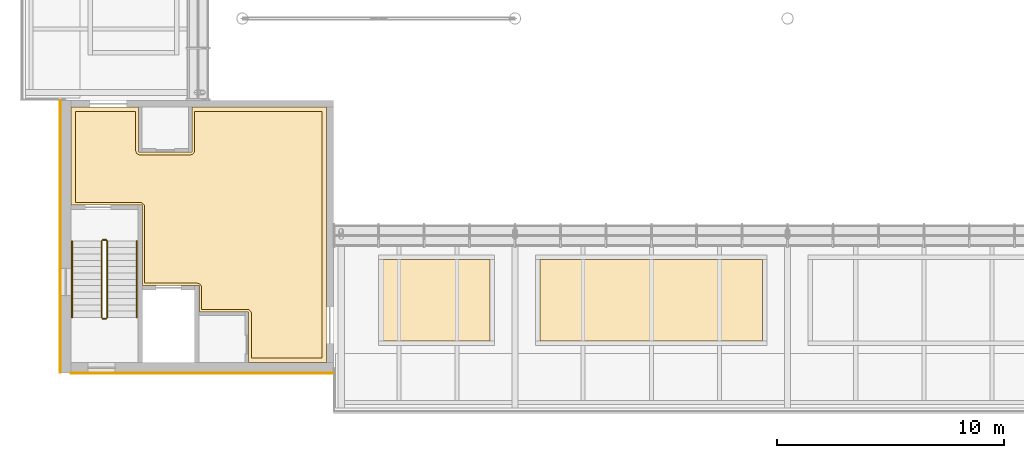
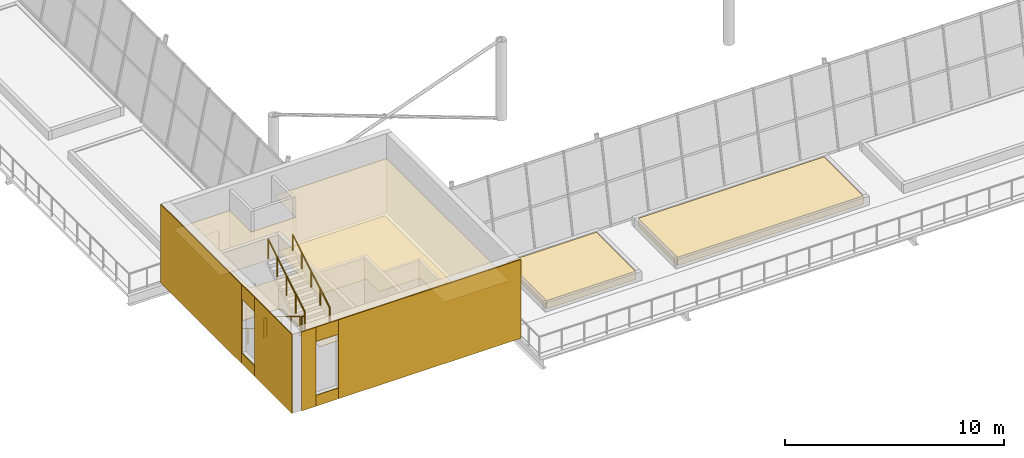
# One storey, part 48 of 58: 12 coverings, 6 railings.
"""IFC4 building model written with IfcOpenShell, lengths in metres."""

from ifc_helpers import new_model, si_unit, direction, frame, origin, origin_2d, place, context, subcontext, project, spatial, polyline, circle, outline, extrude, material, layer, layer_set, type_object, element, save


model = new_model("IFC4")

# Units and contexts
model_context = context("Model", 3, precision=1e-05, world=origin(), true_north=direction((0.0, 1.0)))
body_context = subcontext(model_context, "Body", "Model", "MODEL_VIEW")
ifc_project = project(units=[si_unit("LENGTHUNIT", "METRE"), si_unit("AREAUNIT", "SQUARE_METRE"), si_unit("VOLUMEUNIT", "CUBIC_METRE"), si_unit("PLANEANGLEUNIT", "RADIAN"), si_unit("MASSUNIT", "GRAM", prefix="KILO")], contexts=[model_context])

# Site, building, storey
site_placement = place(None, origin())
site = spatial("IfcSite", under=ifc_project, at=site_placement, CompositionType="ELEMENT")
building_placement = place(site_placement, origin())
building = spatial("IfcBuilding", under=site, at=building_placement, Name="Windward Yard Aquatics Centre", CompositionType="ELEMENT")
storey_placement = place(building_placement, frame((0.0, 0.0, 13.800048828125)))
storey = spatial("IfcBuildingStorey", under=building, at=storey_placement, Name="L03", CompositionType="ELEMENT", Elevation=13.800048828125)

# Covering
ifc_material_1 = material(Name="Polished screed")
ifc_layer_1 = layer(ifc_material_1, 0.0400390625)
ifc_layer_set_1 = layer_set([ifc_layer_1], Name="H Floor Finish Screed 40")
covering_type_1 = type_object("IfcCoveringType", Name="H Floor Finish Screed 40", PredefinedType="FLOORING", material=ifc_layer_set_1)
covering_1_placement = place(storey_placement, origin())
element("IfcCovering", 1, at=covering_1_placement, inside=storey, type_object=covering_type_1, Name="Core Lobby SW floor finish", PredefinedType="FLOORING", context=body_context, shape_type="SweptSolid", body=[
    extrude(outline(polyline([(52.64990234375, 33.5), (52.64990234375, 37.5), (55.300048828125, 37.5), (55.301025390625, 35.780517578125), (55.30859375, 35.741943359375), (55.323486328125, 35.705810546875), (55.345458984375, 35.673095703125), (55.373046875, 35.6455078125), (55.388916015625, 35.6337890625), (55.423583984375, 35.615234375), (55.4609375, 35.603759765625), (55.5, 35.60009765625), (57.699951171875, 35.60009765625), (57.739013671875, 35.603759765625), (57.776611328125, 35.615234375), (57.81103515625, 35.6337890625), (57.826904296875, 35.6455078125), (57.8544921875, 35.673095703125), (57.87646484375, 35.705810546875), (57.891357421875, 35.741943359375), (57.89892578125, 35.780517578125), (57.89990234375, 35.800048828125), (57.89990234375, 37.5), (63.5, 37.5), (63.5, 26.64990234375), (60.39990234375, 26.64990234375), (60.39990234375, 28.60009765625), (60.39892578125, 28.61962890625), (60.391357421875, 28.658203125), (60.37646484375, 28.6943359375), (60.3544921875, 28.726806640625), (60.326904296875, 28.754638671875), (60.31103515625, 28.766357421875), (60.294189453125, 28.7763671875), (60.258056640625, 28.79150390625), (60.239013671875, 28.796142578125), (60.199951171875, 28.800048828125), (58.199951171875, 28.800048828125), (58.198974609375, 29.76953125), (58.19140625, 29.80810546875), (58.184814453125, 29.826416015625), (58.166259765625, 29.861083984375), (58.154541015625, 29.876953125), (58.126953125, 29.904541015625), (58.111083984375, 29.916259765625), (58.09423828125, 29.926513671875), (58.05810546875, 29.94140625), (58.0390625, 29.9462890625), (58.0, 29.949951171875), (55.699951171875, 29.949951171875), (55.699951171875, 33.300048828125), (55.698974609375, 33.319580078125), (55.69140625, 33.358154296875), (55.676513671875, 33.394287109375), (55.654541015625, 33.427001953125), (55.626953125, 33.45458984375), (55.611083984375, 33.46630859375), (55.576416015625, 33.48486328125), (55.5390625, 33.49609375), (55.5, 33.5), (52.64990234375, 33.5)])), origin(), (0.0, 0.0, 1.0), 0.02001953125),
])

# Railings
ifc_material_2 = material(Name="Stainless steel 1.4529", Category="steel")
railing_type_1 = type_object("IfcRailingType", Name="H Guard Steel 1100", PredefinedType="GUARDRAIL", material=ifc_material_2)
railing_1_placement = place(storey_placement, frame((53.800048828125, 31.800048828125, 0.169189453125)))
element("IfcRailing", 2, at=railing_1_placement, inside=storey, type_object=railing_type_1, Name="L03 ST1 stair guard 1", PredefinedType="GUARDRAIL", context=body_context, shape_type="SweptSolid", body=[
    extrude(circle(Radius=0.02392578125, at=origin_2d()), frame((0.0, 0.0, 1.076171875), z_axis=(0.0, -0.855836976705, 0.517245656632), x_axis=(1.0, 0.0, 0.0)), (0.0, 0.0, 1.0), 3.926025390625),
    extrude(circle(Radius=0.02099609375, at=origin_2d()), origin(), (0.0, 0.0, 1.0), 1.052001953125),
    extrude(circle(Radius=0.02099609375, at=origin_2d()), frame((0.0, -0.840087890625, 0.5078125)), (0.0, 0.0, 1.0), 1.052001953125),
    extrude(circle(Radius=0.02099609375, at=origin_2d()), frame((0.0, -1.68017578125, 1.015380859375)), (0.0, 0.0, 1.0), 1.052001953125),
    extrude(circle(Radius=0.02099609375, at=origin_2d()), frame((0.0, -2.52001953125, 1.52294921875)), (0.0, 0.0, 1.0), 1.052001953125),
    extrude(circle(Radius=0.02099609375, at=origin_2d()), frame((0.0, -3.360107421875, 2.03076171875)), (0.0, 0.0, 1.0), 1.052001953125),
])
railing_2_placement = place(storey_placement, frame((53.85009765625, 28.389892578125, 2.199951171875)))
element("IfcRailing", 3, at=railing_2_placement, inside=storey, type_object=railing_type_1, Name="L03 ST1 stair guard 2", PredefinedType="GUARDRAIL", context=body_context, shape_type="SweptSolid", body=[
    extrude(circle(Radius=0.02392578125, at=origin_2d()), frame((0.0, 0.0, 1.076171875), z_axis=(1.0, 0.0, 0.0), x_axis=(0.0, 1.0, 0.0)), (0.0, 0.0, 1.0), 0.14990234375),
    extrude(circle(Radius=0.02099609375, at=origin_2d()), origin(), (0.0, 0.0, 1.0), 1.052001953125),
    extrude(circle(Radius=0.02099609375, at=origin_2d()), frame((0.14990234375, 0.0, 0.0)), (0.0, 0.0, 1.0), 1.052001953125),
])
railing_3_placement = place(storey_placement, frame((54.050048828125, 28.43994140625, 2.369140625)))
element("IfcRailing", 4, at=railing_3_placement, inside=storey, type_object=railing_type_1, Name="L03 ST1 stair guard 3", PredefinedType="GUARDRAIL", context=body_context, shape_type="SweptSolid", body=[
    extrude(circle(Radius=0.02392578125, at=origin_2d()), frame((0.0, 0.0, 1.076171875), z_axis=(0.0, 0.855836976705, 0.517245656632), x_axis=(-1.0, 0.0, 0.0)), (0.0, 0.0, 1.0), 3.926025390625),
    extrude(circle(Radius=0.02099609375, at=origin_2d()), origin(), (0.0, 0.0, 1.0), 1.052001953125),
    extrude(circle(Radius=0.02099609375, at=origin_2d()), frame((0.0, 0.840087890625, 0.5078125)), (0.0, 0.0, 1.0), 1.052001953125),
    extrude(circle(Radius=0.02099609375, at=origin_2d()), frame((0.0, 1.68017578125, 1.015380859375)), (0.0, 0.0, 1.0), 1.052001953125),
    extrude(circle(Radius=0.02099609375, at=origin_2d()), frame((0.0, 2.52001953125, 1.52294921875)), (0.0, 0.0, 1.0), 1.052001953125),
    extrude(circle(Radius=0.02099609375, at=origin_2d()), frame((0.0, 3.360107421875, 2.03076171875)), (0.0, 0.0, 1.0), 1.052001953125),
])
railing_4_placement = place(storey_placement, frame((53.85009765625, 31.85009765625, 0.0)))
element("IfcRailing", 5, at=railing_4_placement, inside=storey, type_object=railing_type_1, Name="L03 ST1 stair guard 4", PredefinedType="GUARDRAIL", context=body_context, shape_type="SweptSolid", body=[
    extrude(circle(Radius=0.02392578125, at=origin_2d()), frame((0.0, 0.0, 1.076171875), z_axis=(1.0, 0.0, 0.0), x_axis=(0.0, 1.0, 0.0)), (0.0, 0.0, 1.0), 0.14990234375),
    extrude(circle(Radius=0.02099609375, at=origin_2d()), origin(), (0.0, 0.0, 1.0), 1.052001953125),
    extrude(circle(Radius=0.02099609375, at=origin_2d()), frame((0.14990234375, 0.0, 0.0)), (0.0, 0.0, 1.0), 1.052001953125),
])
railing_type_2 = type_object("IfcRailingType", Name="H Handrail Steel 900", PredefinedType="HANDRAIL", material=ifc_material_2)
railing_5_placement = place(storey_placement, frame((52.5, 31.800048828125, 0.169189453125)))
element("IfcRailing", 6, at=railing_5_placement, inside=storey, type_object=railing_type_2, Name="L03 ST1 stair handrail 1", PredefinedType="HANDRAIL", context=body_context, shape_type="SweptSolid", body=[
    extrude(circle(Radius=0.02392578125, at=origin_2d()), frame((0.0, 0.0, 0.8759765625), z_axis=(0.0, -0.855836976705, 0.517245656632), x_axis=(1.0, 0.0, 0.0)), (0.0, 0.0, 1.0), 3.926025390625),
    extrude(circle(Radius=0.02099609375, at=origin_2d()), origin(), (0.0, 0.0, 1.0), 0.851806640625),
    extrude(circle(Radius=0.02099609375, at=origin_2d()), frame((0.0, -0.840087890625, 0.5078125)), (0.0, 0.0, 1.0), 0.851806640625),
    extrude(circle(Radius=0.02099609375, at=origin_2d()), frame((0.0, -1.68017578125, 1.015380859375)), (0.0, 0.0, 1.0), 0.851806640625),
    extrude(circle(Radius=0.02099609375, at=origin_2d()), frame((0.0, -2.52001953125, 1.52294921875)), (0.0, 0.0, 1.0), 0.851806640625),
    extrude(circle(Radius=0.02099609375, at=origin_2d()), frame((0.0, -3.360107421875, 2.03076171875)), (0.0, 0.0, 1.0), 0.851806640625),
])
railing_6_placement = place(storey_placement, frame((55.35009765625, 28.43994140625, 2.369140625)))
element("IfcRailing", 7, at=railing_6_placement, inside=storey, type_object=railing_type_2, Name="L03 ST1 stair handrail 2", PredefinedType="HANDRAIL", context=body_context, shape_type="SweptSolid", body=[
    extrude(circle(Radius=0.02392578125, at=origin_2d()), frame((0.0, 0.0, 0.8759765625), z_axis=(0.0, 0.855836976705, 0.517245656632), x_axis=(-1.0, 0.0, 0.0)), (0.0, 0.0, 1.0), 3.926025390625),
    extrude(circle(Radius=0.02099609375, at=origin_2d()), origin(), (0.0, 0.0, 1.0), 0.851806640625),
    extrude(circle(Radius=0.02099609375, at=origin_2d()), frame((0.0, 0.840087890625, 0.5078125)), (0.0, 0.0, 1.0), 0.851806640625),
    extrude(circle(Radius=0.02099609375, at=origin_2d()), frame((0.0, 1.68017578125, 1.015380859375)), (0.0, 0.0, 1.0), 0.851806640625),
    extrude(circle(Radius=0.02099609375, at=origin_2d()), frame((0.0, 2.52001953125, 1.52294921875)), (0.0, 0.0, 1.0), 0.851806640625),
    extrude(circle(Radius=0.02099609375, at=origin_2d()), frame((0.0, 3.360107421875, 2.03076171875)), (0.0, 0.0, 1.0), 0.851806640625),
])

# Coverings
ifc_material_3 = material(Name="Mineral fibre tile")
ifc_layer_2 = layer(ifc_material_3, 0.02001953125)
ifc_layer_set_2 = layer_set([ifc_layer_2], Name="H Suspended Ceiling 600 x 600")
covering_type_2 = type_object("IfcCoveringType", Name="H Suspended Ceiling 600 x 600", PredefinedType="CEILING", material=ifc_layer_set_2)
covering_2_placement = place(storey_placement, frame((0.0, 0.0, 3.0)))
element("IfcCovering", 8, at=covering_2_placement, inside=storey, type_object=covering_type_2, Name="Core Lobby SW ceiling", PredefinedType="CEILING", context=body_context, shape_type="SweptSolid", body=[
    extrude(outline(polyline([(52.450439453125, 33.400390625), (52.450439453125, 37.699462890625), (55.424560546875, 37.699462890625), (55.424560546875, 35.72509765625), (55.574951171875, 35.724609375), (57.775390625, 35.72509765625), (57.775390625, 37.699462890625), (63.699462890625, 37.699462890625), (63.699462890625, 26.450439453125), (60.275390625, 26.450439453125), (60.275390625, 28.675048828125), (58.1005859375, 28.675537109375), (58.1005859375, 29.85009765625), (55.6005859375, 29.8505859375), (55.6005859375, 33.39990234375), (52.450439453125, 33.400390625)])), origin(), (0.0, 0.0, 1.0), 0.02001953125),
])
ifc_material_4 = material(Name="Natural limestone cladding", Category="masonry")
ifc_layer_3 = layer(ifc_material_4, 0.0400390625)
ifc_layer_set_3 = layer_set([ifc_layer_3], Name="H natural stone cladding 40")
covering_type_3 = type_object("IfcCoveringType", Name="H natural stone cladding 40", PredefinedType="CLADDING", material=ifc_layer_set_3)
covering_3_placement = place(storey_placement, origin())
element("IfcCovering", 9, at=covering_3_placement, inside=storey, type_object=covering_type_3, Name="Stone cladding panel 123", PredefinedType="CLADDING", context=body_context, shape_type="SweptSolid", body=[
    extrude(outline(polyline([(52.449951171875, 25.9599609375), (52.449951171875, 26.0), (53.199951171875, 26.0), (53.199951171875, 25.9599609375), (52.449951171875, 25.9599609375)])), origin(), (0.0, 0.0, 1.0), 4.39990234375),
])
covering_4_placement = place(storey_placement, origin())
element("IfcCovering", 10, at=covering_4_placement, inside=storey, type_object=covering_type_3, Name="Stone cladding panel 124", PredefinedType="CLADDING", context=body_context, shape_type="SweptSolid", body=[
    extrude(outline(polyline([(53.199951171875, 25.9599609375), (53.199951171875, 26.0), (54.39990234375, 26.0), (54.39990234375, 25.9599609375), (53.199951171875, 25.9599609375)])), origin(), (0.0, 0.0, 1.0), 0.599853515625),
])
covering_5_placement = place(storey_placement, frame((0.0, 0.0, 3.599853515625)))
element("IfcCovering", 11, at=covering_5_placement, inside=storey, type_object=covering_type_3, Name="Stone cladding panel 125", PredefinedType="CLADDING", context=body_context, shape_type="SweptSolid", body=[
    extrude(outline(polyline([(53.199951171875, 25.9599609375), (53.199951171875, 26.0), (54.39990234375, 26.0), (54.39990234375, 25.9599609375), (53.199951171875, 25.9599609375)])), origin(), (0.0, 0.0, 1.0), 0.800048828125),
])
covering_6_placement = place(storey_placement, origin())
element("IfcCovering", 12, at=covering_6_placement, inside=storey, type_object=covering_type_3, Name="Stone cladding panel 126", PredefinedType="CLADDING", context=body_context, shape_type="SweptSolid", body=[
    extrude(outline(polyline([(54.39990234375, 25.9599609375), (54.39990234375, 26.0), (64.0, 26.0), (64.0, 25.9599609375), (54.39990234375, 25.9599609375)])), origin(), (0.0, 0.0, 1.0), 4.39990234375),
])
covering_7_placement = place(storey_placement, origin())
element("IfcCovering", 13, at=covering_7_placement, inside=storey, type_object=covering_type_3, Name="Stone cladding panel 149", PredefinedType="CLADDING", context=body_context, shape_type="SweptSolid", body=[
    extrude(outline(polyline([(51.9599609375, 26.0), (52.0, 26.0), (52.0, 29.39990234375), (51.9599609375, 29.39990234375), (51.9599609375, 26.0)])), origin(), (0.0, 0.0, 1.0), 4.39990234375),
])
covering_8_placement = place(storey_placement, origin())
element("IfcCovering", 14, at=covering_8_placement, inside=storey, type_object=covering_type_3, Name="Stone cladding panel 150", PredefinedType="CLADDING", context=body_context, shape_type="SweptSolid", body=[
    extrude(outline(polyline([(51.9599609375, 29.39990234375), (52.0, 29.39990234375), (52.0, 30.60009765625), (51.9599609375, 30.60009765625), (51.9599609375, 29.39990234375)])), origin(), (0.0, 0.0, 1.0), 0.599853515625),
])
covering_9_placement = place(storey_placement, frame((0.0, 0.0, 3.599853515625)))
element("IfcCovering", 15, at=covering_9_placement, inside=storey, type_object=covering_type_3, Name="Stone cladding panel 151", PredefinedType="CLADDING", context=body_context, shape_type="SweptSolid", body=[
    extrude(outline(polyline([(51.9599609375, 29.39990234375), (52.0, 29.39990234375), (52.0, 30.60009765625), (51.9599609375, 30.60009765625), (51.9599609375, 29.39990234375)])), origin(), (0.0, 0.0, 1.0), 0.800048828125),
])
covering_10_placement = place(storey_placement, origin())
element("IfcCovering", 16, at=covering_10_placement, inside=storey, type_object=covering_type_3, Name="Stone cladding panel 152", PredefinedType="CLADDING", context=body_context, shape_type="SweptSolid", body=[
    extrude(outline(polyline([(51.9599609375, 30.60009765625), (52.0, 30.60009765625), (52.0, 38.0), (51.9599609375, 38.0), (51.9599609375, 30.60009765625)])), origin(), (0.0, 0.0, 1.0), 4.39990234375),
])
ifc_material_5 = material(Name="Planting soil")
ifc_layer_4 = layer(ifc_material_5, 0.398, Name="Planting")
ifc_material_6 = material(Name="Filter fabric")
ifc_layer_5 = layer(ifc_material_6, 0.002, Name="Filter")
ifc_material_7 = material(Name="Drainage board")
ifc_layer_6 = layer(ifc_material_7, 0.05, Name="Drainage")
ifc_layer_set_4 = layer_set([ifc_layer_4, ifc_layer_5, ifc_layer_6], Name="H planting bed 450")
covering_type_4 = type_object("IfcCoveringType", Name="H planting bed 450", PredefinedType="USERDEFINED", material=ifc_layer_set_4)
covering_11_placement = place(storey_placement, origin())
element("IfcCovering", 17, at=covering_11_placement, inside=storey, type_object=covering_type_4, Name="Planting bed T1 S1", ObjectType="PLANTING BED", PredefinedType="USERDEFINED", context=body_context, shape_type="SweptSolid", body=[
    extrude(outline(polyline([(66.199951171875, 27.39990234375), (70.89990234375, 27.39990234375), (70.89990234375, 31.0), (66.199951171875, 31.0), (66.199951171875, 27.39990234375)])), origin(), (0.0, 0.0, 1.0), 0.449951171875),
])
covering_12_placement = place(storey_placement, origin())
element("IfcCovering", 18, at=covering_12_placement, inside=storey, type_object=covering_type_4, Name="Planting bed T1 S2", ObjectType="PLANTING BED", PredefinedType="USERDEFINED", context=body_context, shape_type="SweptSolid", body=[
    extrude(outline(polyline([(73.10009765625, 27.39990234375), (82.89990234375, 27.39990234375), (82.89990234375, 31.0), (73.10009765625, 31.0), (73.10009765625, 27.39990234375)])), origin(), (0.0, 0.0, 1.0), 0.449951171875),
])

save(model, "model.ifc")
